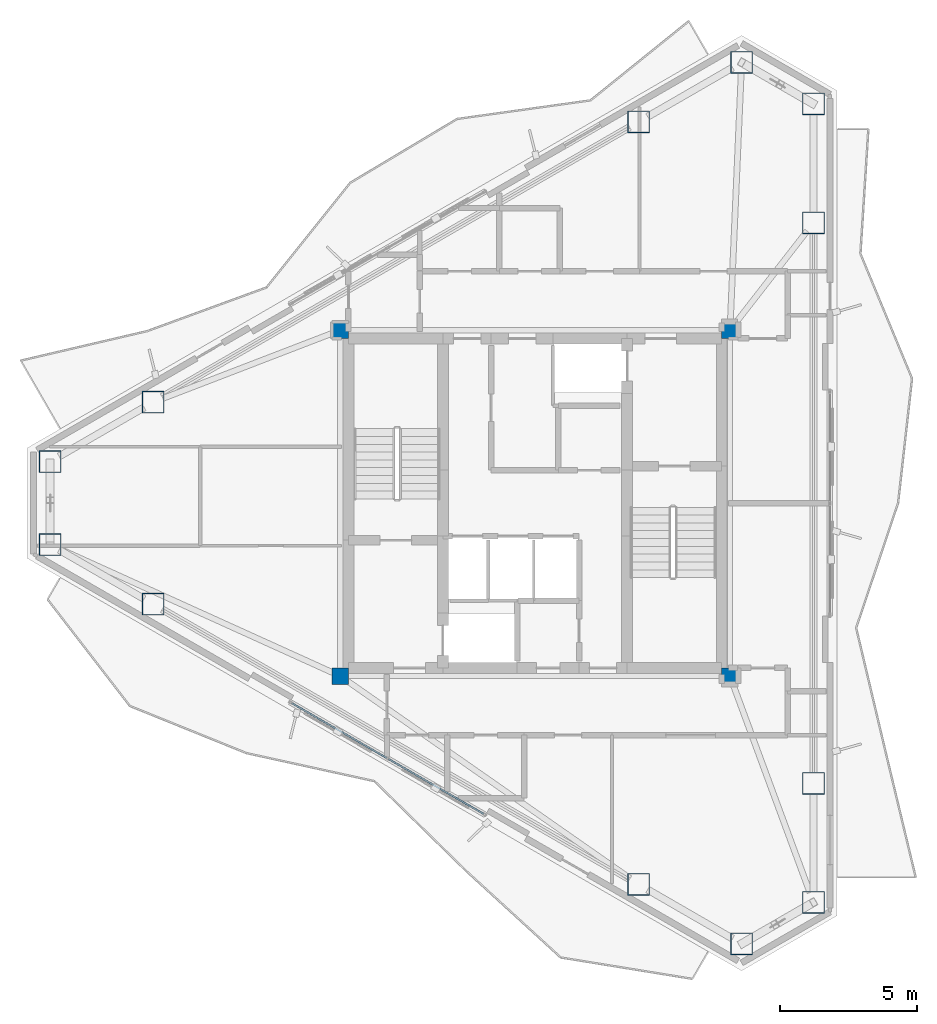
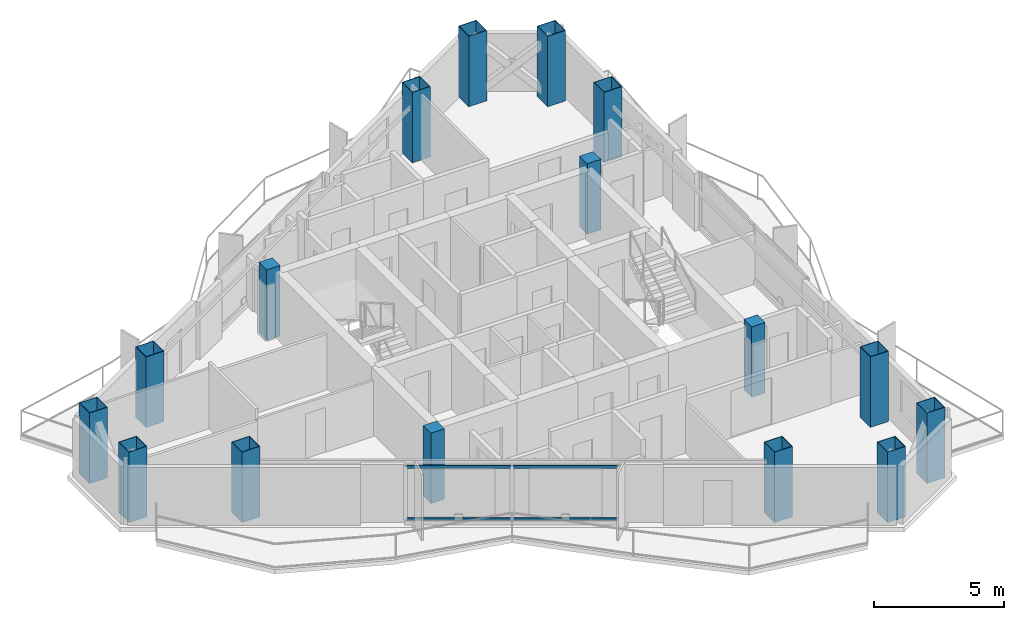
# One storey, part 1 of 18: 16 columns, 4 members, 1 element without a shape of its own.
"""IFC4 building model written with IfcOpenShell, lengths in metres."""

import ifcopenshell
import ifcopenshell.guid

model = None  # the IFC model being written
_history = None  # IfcOwnerHistory: only IFC2X3 demands one
_inside = {}  # id of a spatial element -> (the spatial element, [elements in it])
_under = {}  # id of a project, library or spatial element -> (it, [spatial elements below it])
_declared = {}  # id of a project -> (the project, [libraries it declares])
_typed = {}  # id of a type object -> (the type object, [elements of that type])
_made_of = {}  # id of a material, layer set ... -> (it, [elements and type objects made of it])


def new_model(schema):
    """Start an empty IFC model of exactly this schema.

    Asked for "IFC4X3", IfcOpenShell would pick the latest addendum, in which some entities
    have other attributes; the version numbers below select the first issue.
    IFC2X3 requires an IfcOwnerHistory on every rooted entity: one is made here for all.
    """
    global model, _history
    if schema == "IFC4X3":
        model = ifcopenshell.file(schema_version=(4, 3, 0, 0))
    else:
        model = ifcopenshell.file(schema=schema)
    _inside.clear()
    _under.clear()
    _declared.clear()
    _typed.clear()
    _made_of.clear()
    _history = None
    if model.schema == "IFC2X3":
        org = make("IfcOrganization", Name="unknown")
        user = make(
            "IfcPersonAndOrganization",
            ThePerson=make("IfcPerson", FamilyName="unknown"),
            TheOrganization=org,
        )
        app = make(
            "IfcApplication",
            ApplicationDeveloper=org,
            Version="unknown",
            ApplicationFullName="unknown",
            ApplicationIdentifier="unknown",
        )
        _history = make(
            "IfcOwnerHistory",
            OwningUser=user,
            OwningApplication=app,
            ChangeAction="ADDED",
            CreationDate=0,
        )
    return model


def make(cls, **values):
    """One entity of the class cls with the attributes given. An attribute that is None is left unset."""
    return model.create_entity(
        cls, **{name: value for name, value in values.items() if value is not None}
    )


def rooted(cls, **values):
    """An entity with a GlobalId (a new one), such as an element, a storey or a relation."""
    return make(cls, GlobalId=ifcopenshell.guid.new(), OwnerHistory=_history, **values)


def si_unit(unit_type, name, prefix=None):
    """IfcSIUnit, for example si_unit("LENGTHUNIT", "METRE", prefix="MILLI")."""
    return make("IfcSIUnit", UnitType=unit_type, Prefix=prefix, Name=name)


def assignment(units):
    """IfcUnitAssignment: the units of a project."""
    return None if units is None else make("IfcUnitAssignment", Units=units)


def point(xyz):
    """IfcCartesianPoint."""
    return None if xyz is None else make("IfcCartesianPoint", Coordinates=xyz)


def direction(xyz):
    """IfcDirection."""
    return None if xyz is None else make("IfcDirection", DirectionRatios=xyz)


def frame(location, z_axis=None, x_axis=None):
    """IfcAxis2Placement3D, a coordinate frame: its origin and axes. An axis left out is left unset."""
    return make(
        "IfcAxis2Placement3D",
        Location=point(location),
        Axis=direction(z_axis),
        RefDirection=direction(x_axis),
    )


def frame_2d(location, x_axis=None):
    """IfcAxis2Placement2D, a coordinate frame in the plane: its origin and x axis."""
    return make(
        "IfcAxis2Placement2D", Location=point(location), RefDirection=direction(x_axis)
    )


def origin():
    """The frame at (0, 0, 0) with its axes left unset."""
    return frame((0.0, 0.0, 0.0))


def origin_2d():
    """The frame at (0, 0) in the plane with its x axis left unset."""
    return frame_2d((0.0, 0.0))


def place(relative_to, where):
    """IfcLocalPlacement: puts the frame where relative to a parent placement (None: the world)."""
    return make(
        "IfcLocalPlacement", PlacementRelTo=relative_to, RelativePlacement=where
    )


def context(
    kind, dimensions, precision=None, world=None, true_north=None, identifier=None
):
    """IfcGeometricRepresentationContext, for example the 3D "Model" context."""
    return make(
        "IfcGeometricRepresentationContext",
        ContextIdentifier=identifier,
        ContextType=kind,
        CoordinateSpaceDimension=dimensions,
        Precision=precision,
        WorldCoordinateSystem=world,
        TrueNorth=true_north,
    )


def subcontext(parent, identifier, kind, view, scale=None):
    """IfcGeometricRepresentationSubContext, for example "Body" below "Model"."""
    return make(
        "IfcGeometricRepresentationSubContext",
        ContextIdentifier=identifier,
        ContextType=kind,
        ParentContext=parent,
        TargetScale=scale,
        TargetView=view,
    )


def project(units=None, contexts=None):
    """IfcProject with its units and contexts."""
    return rooted(
        "IfcProject",
        Name="project",
        RepresentationContexts=contexts,
        UnitsInContext=assignment(units),
    )


def spatial(cls, under=None, at=None, **own):
    """A site, building, storey or space (cls), placed at a placement, below another one or the project."""
    s = rooted(cls, ObjectPlacement=at, **own)
    if under is not None:
        _under.setdefault(under.id(), (under, []))[1].append(s)
    return s


def profile(cls, at=None, kind="AREA", **sizes):
    """A parametric profile (cls). Its sizes go by their IFC names, for example OverallWidth=200.0."""
    return make(cls, ProfileType=kind, Position=at, **sizes)


def rectangle(**sizes):
    """IfcRectangleProfileDef."""
    return profile("IfcRectangleProfileDef", **sizes)


def hollow_rectangle(**sizes):
    """IfcRectangleHollowProfileDef."""
    return profile("IfcRectangleHollowProfileDef", **sizes)


def extrude(swept, where, along, depth):
    """IfcExtrudedAreaSolid: the profile swept, set in the frame where, extruded along a direction by depth."""
    return make(
        "IfcExtrudedAreaSolid",
        SweptArea=swept,
        Position=where,
        ExtrudedDirection=direction(along),
        Depth=depth,
    )


def shape(context_of_items, identifier, shape_type, items):
    """IfcShapeRepresentation: the items that make up one representation, for example the "Body"."""
    return make(
        "IfcShapeRepresentation",
        ContextOfItems=context_of_items,
        RepresentationIdentifier=identifier,
        RepresentationType=shape_type,
        Items=items,
    )


def material(Name=None, Category=None):
    """IfcMaterial."""
    return make("IfcMaterial", Name=Name, Category=Category)


def layer(
    of_material, thickness, ventilated=None, Name=None, Category=None, Priority=None
):
    """IfcMaterialLayer: one layer of a wall or slab, of a material (None: an air gap)."""
    return make(
        "IfcMaterialLayer",
        Material=of_material,
        LayerThickness=thickness,
        IsVentilated=ventilated,
        Name=Name,
        Category=Category,
        Priority=Priority,
    )


def layer_set(layers, Name=None):
    """IfcMaterialLayerSet."""
    return make("IfcMaterialLayerSet", MaterialLayers=layers, LayerSetName=Name)


def material_profile(
    of_material, cross_section, Name=None, Category=None, Priority=None
):
    """IfcMaterialProfile: a cross section and its material."""
    return make(
        "IfcMaterialProfile",
        Name=Name,
        Material=of_material,
        Profile=cross_section,
        Priority=Priority,
        Category=Category,
    )


def profile_set(profiles, Name=None, composite=None):
    """IfcMaterialProfileSet."""
    return make(
        "IfcMaterialProfileSet",
        Name=Name,
        MaterialProfiles=profiles,
        CompositeProfile=composite,
    )


def made_of(thing, what):
    """Note that an element or type object is made of a material, layer set ...; save() writes the relation."""
    if what is not None:
        _made_of.setdefault(what.id(), (what, []))[1].append(thing)
    return thing


def type_object(cls, material=None, **own):
    """A type object (cls), such as IfcWallType, which elements share."""
    return made_of(rooted(cls, **own), material)


def element(
    cls,
    number,
    at=None,
    inside=None,
    cuts=None,
    type_object=None,
    material=None,
    context=None,
    identifier="Body",
    shape_type=None,
    held_by="IfcProductDefinitionShape",
    body=None,
    shapes=None,
    **own,
):
    """One element of the class cls, such as IfcWall. Its Tag is "e" and its number.

    at: its placement. inside: the storey or other place that contains it. cuts: it is an
    opening in that element (IfcRelVoidsElement). A single representation is given by context,
    identifier, shape_type and body (its items); several are given by shapes. held_by: the class
    of the entity that holds the representations. save() writes the other relations.
    """
    e = rooted(cls, Tag="e%d" % number, ObjectPlacement=at, **own)
    if body is not None:
        shapes = [shape(context, identifier, shape_type, body)]
    if shapes is not None:
        e.Representation = make(held_by, Representations=shapes)
    if inside is not None:
        _inside.setdefault(inside.id(), (inside, []))[1].append(e)
    if cuts is not None:
        rooted(
            "IfcRelVoidsElement", RelatingBuildingElement=cuts, RelatedOpeningElement=e
        )
    if type_object is not None:
        _typed.setdefault(type_object.id(), (type_object, []))[1].append(e)
    return made_of(e, material)


def aggregate(whole, parts):
    """IfcRelAggregates: a whole, such as a stair, and the parts it consists of."""
    return rooted("IfcRelAggregates", RelatingObject=whole, RelatedObjects=parts)


def save(model, path):
    """Write the relations noted so far, then the file.

    IfcRelAggregates (storeys below a building ...), IfcRelContainedInSpatialStructure (elements
    in a storey), IfcRelDefinesByType, IfcRelAssociatesMaterial and IfcRelDeclares: one each for
    every whole, place, type object, material and project.
    """
    for whole, parts in _under.values():
        aggregate(whole, parts)
    for where, things in _inside.values():
        rooted(
            "IfcRelContainedInSpatialStructure",
            RelatedElements=things,
            RelatingStructure=where,
        )
    for kind, things in _typed.values():
        rooted("IfcRelDefinesByType", RelatedObjects=things, RelatingType=kind)
    for what, things in _made_of.values():
        rooted("IfcRelAssociatesMaterial", RelatedObjects=things, RelatingMaterial=what)
    for by, libraries in _declared.values():
        rooted("IfcRelDeclares", RelatingContext=by, RelatedDefinitions=libraries)
    model.write(path)


model = new_model("IFC4")

# Units and contexts
model_context = context("Model", 3, precision=1e-05, world=origin(), true_north=direction((0.0, 1.0)))
body_context = subcontext(model_context, "Body", "Model", "MODEL_VIEW")
ifc_project = project(units=[si_unit("LENGTHUNIT", "METRE"), si_unit("AREAUNIT", "SQUARE_METRE"), si_unit("VOLUMEUNIT", "CUBIC_METRE"), si_unit("PLANEANGLEUNIT", "RADIAN"), si_unit("MASSUNIT", "GRAM", prefix="KILO")], contexts=[model_context])

# Site, building, storey
site_placement = place(None, origin())
site = spatial("IfcSite", under=ifc_project, at=site_placement, CompositionType="ELEMENT")
building_placement = place(site_placement, origin())
building = spatial("IfcBuilding", under=site, at=building_placement, Name="Mersakhor Tower and Convention Hall", CompositionType="ELEMENT")
storey_placement = place(building_placement, frame((0.0, 0.0, 236.39990234375)))
storey = spatial("IfcBuildingStorey", under=building, at=storey_placement, Name="L66", CompositionType="ELEMENT", Elevation=236.39990234375)

# Columns
ifc_material_1 = material(Name="Concrete C50/60 in S460M steel box", Category="concrete")
ifc_material_profile_1 = material_profile(ifc_material_1, hollow_rectangle(XDim=0.800048828125, YDim=0.800048828125, WallThickness=0.02490234375, at=origin_2d()), Name="SHS 800x800x25")
ifc_profile_set_1 = profile_set([ifc_material_profile_1], Name="Concrete C50/60 in S460M steel box")
column_type_1 = type_object("IfcColumnType", Name="COL-CFT-800", PredefinedType="COLUMN", material=ifc_profile_set_1)
for number, where, z_axis, x_axis, name in (
    (1, (11.33203125, 28.26123046875, 0.0), (0.0, 0.0, 1.0), (1.0, 0.0, 0.0), "L66 Perimeter Mega-Column MC-01"),
    (2, (15.085693359375, 30.428466796875, 0.0), (0.0, 0.0, 1.0), (1.0, 0.0, 0.0), "L66 Perimeter Mega-Column MC-02"),
    (3, (32.771484375, 40.639404296875, 0.0), (0.0, 0.0, 1.0), (1.0, 0.0, 0.0), "L66 Perimeter Mega-Column MC-03"),
    (4, (36.525146484375, 42.806640625, 0.0), (0.0, 0.0, 1.0), (1.0, 0.0, 0.0), "L66 Perimeter Mega-Column MC-04"),
    (5, (39.142822265625, 41.29541015625, 0.0), (0.0, 0.0, 1.0), (1.0, 0.0, 0.0), "L66 Perimeter Mega-Column MC-05"),
    (6, (39.142822265625, 36.960693359375, 0.0), (0.0, 0.0, 1.0), (1.0, 0.0, 0.0), "L66 Perimeter Mega-Column MC-06"),
    (7, (39.142822265625, 16.539306640625, 0.0), (0.0, 0.0, 1.0), (1.0, 0.0, 0.0), "L66 Perimeter Mega-Column MC-07"),
    (8, (39.142822265625, 12.20458984375, 0.0), (0.0, 0.0, 1.0), (1.0, 0.0, 0.0), "L66 Perimeter Mega-Column MC-08"),
    (9, (36.525146484375, 10.693359375, 0.0), (0.0, 0.0, 1.0), (1.0, 0.0, 0.0), "L66 Perimeter Mega-Column MC-09"),
    (10, (32.771484375, 12.860595703125, 0.0), (0.0, 0.0, 1.0), (1.0, 0.0, 0.0), "L66 Perimeter Mega-Column MC-10"),
    (11, (15.085693359375, 23.071533203125, 0.0), (0.0, 0.0, 1.0), (1.0, 0.0, 0.0), "L66 Perimeter Mega-Column MC-11"),
    (12, (11.33203125, 25.23876953125, 0.0), (0.0, 0.0, 1.0), (1.0, 0.0, 0.0), "L66 Perimeter Mega-Column MC-12"),
):
    element("IfcColumn", number, at=place(storey_placement, frame(where, z_axis=z_axis, x_axis=x_axis)), inside=storey, type_object=column_type_1, Name=name, PredefinedType="COLUMN", context=body_context, shape_type="SweptSolid", body=[
        extrude(hollow_rectangle(XDim=0.800048828125, YDim=0.800048828125, WallThickness=0.02490234375, at=origin_2d()), origin(), (0.0, 0.0, 1.0), 3.300048828125),
    ])
ifc_material_2 = material(Name="Concrete C50/60", Category="concrete")
ifc_material_profile_2 = material_profile(ifc_material_2, rectangle(XDim=0.60009765625, YDim=0.60009765625, at=origin_2d()), Name="RC 600x600")
ifc_profile_set_2 = profile_set([ifc_material_profile_2], Name="Concrete C50/60")
column_type_2 = type_object("IfcColumnType", Name="COL-RC-600", PredefinedType="COLUMN", material=ifc_profile_set_2)
for number, where, z_axis, x_axis, name in (
    (13, (21.89990234375, 20.449951171875, 0.0), (0.0, 0.0, 1.0), (1.0, 0.0, 0.0), "L66 Core Corner Column CC-1"),
    (14, (21.89990234375, 33.050048828125, 0.0), (0.0, 0.0, 1.0), (1.0, 0.0, 0.0), "L66 Core Corner Column CC-2"),
    (15, (36.10009765625, 33.050048828125, 0.0), (0.0, 0.0, 1.0), (1.0, 0.0, 0.0), "L66 Core Corner Column CC-3"),
    (16, (36.10009765625, 20.449951171875, 0.0), (0.0, 0.0, 1.0), (1.0, 0.0, 0.0), "L66 Core Corner Column CC-4"),
):
    element("IfcColumn", number, at=place(storey_placement, frame(where, z_axis=z_axis, x_axis=x_axis)), inside=storey, type_object=column_type_2, Name=name, PredefinedType="COLUMN", context=body_context, shape_type="SweptSolid", body=[
        extrude(rectangle(XDim=0.60009765625, YDim=0.60009765625, at=origin_2d()), origin(), (0.0, 0.0, 1.0), 3.300048828125),
    ])

# Curtain wall, members
ifc_material_3 = material(Name="Dark solar low-E aluminium curtain wall", Category="aluminium")
ifc_layer = layer(ifc_material_3, 0.179931640625)
ifc_layer_set = layer_set([ifc_layer], Name="Dark solar low-E aluminium curtain wall")
curtain_wall_type = type_object("IfcCurtainWallType", Name="CW-SYS-03", PredefinedType="USERDEFINED", material=ifc_layer_set)
curtain_wall_placement = place(storey_placement, origin())
curtain_wall = element("IfcCurtainWall", 17, at=curtain_wall_placement, inside=storey, type_object=curtain_wall_type, Name="L66 Dark-Glass Curtain Wall F3-B2", ObjectType="CURTAIN WALL", PredefinedType="USERDEFINED")
ifc_material_4 = material(Name="Anodised aluminium EN AW-6063 T6", Category="aluminium")
ifc_material_profile_3 = material_profile(ifc_material_4, hollow_rectangle(XDim=0.06005859375, YDim=0.1201171875, WallThickness=0.0048828125, at=origin_2d()), Name="RHS 120x60x5")
ifc_profile_set_3 = profile_set([ifc_material_profile_3], Name="Anodised aluminium EN AW-6063 T6")
member_type = type_object("IfcMemberType", Name="CWT-120x60", PredefinedType="USERDEFINED", material=ifc_profile_set_3)
member_1_placement = place(storey_placement, frame((27.12646484375, 15.427001953125, 0.22998046875), z_axis=(-0.866023018642, 0.500004131166, 0.0), x_axis=(-0.500004131166, -0.866023018642, 0.0)))
member_1 = element("IfcMember", 18, at=member_1_placement, type_object=member_type, Name="CW-03 transom 1.1", ObjectType="TRANSOM", PredefinedType="USERDEFINED", context=body_context, shape_type="SweptSolid", body=[
    extrude(hollow_rectangle(XDim=0.06005859375, YDim=0.1201171875, WallThickness=0.0048828125, at=origin_2d()), origin(), (0.0, 0.0, 1.0), 4.00146484375),
])
member_2_placement = place(storey_placement, frame((27.12646484375, 15.427001953125, 2.670166015625), z_axis=(-0.866023018642, 0.500004131166, 0.0), x_axis=(-0.500004131166, -0.866023018642, 0.0)))
member_2 = element("IfcMember", 19, at=member_2_placement, type_object=member_type, Name="CW-03 transom 1.2", ObjectType="TRANSOM", PredefinedType="USERDEFINED", context=body_context, shape_type="SweptSolid", body=[
    extrude(hollow_rectangle(XDim=0.06005859375, YDim=0.1201171875, WallThickness=0.0048828125, at=origin_2d()), origin(), (0.0, 0.0, 1.0), 4.00146484375),
])
member_3_placement = place(storey_placement, frame((23.59619140625, 17.465087890625, 0.22998046875), z_axis=(-0.866023018642, 0.500004131166, 0.0), x_axis=(-0.500004131166, -0.866023018642, 0.0)))
member_3 = element("IfcMember", 20, at=member_3_placement, type_object=member_type, Name="CW-03 transom 2.1", ObjectType="TRANSOM", PredefinedType="USERDEFINED", context=body_context, shape_type="SweptSolid", body=[
    extrude(hollow_rectangle(XDim=0.06005859375, YDim=0.1201171875, WallThickness=0.0048828125, at=origin_2d()), origin(), (0.0, 0.0, 1.0), 4.00146484375),
])
member_4_placement = place(storey_placement, frame((23.59619140625, 17.465087890625, 2.670166015625), z_axis=(-0.866023018642, 0.500004131166, 0.0), x_axis=(-0.500004131166, -0.866023018642, 0.0)))
member_4 = element("IfcMember", 21, at=member_4_placement, type_object=member_type, Name="CW-03 transom 2.2", ObjectType="TRANSOM", PredefinedType="USERDEFINED", context=body_context, shape_type="SweptSolid", body=[
    extrude(hollow_rectangle(XDim=0.06005859375, YDim=0.1201171875, WallThickness=0.0048828125, at=origin_2d()), origin(), (0.0, 0.0, 1.0), 4.00146484375),
])
aggregate(curtain_wall, [member_1, member_2, member_3, member_4])

save(model, "model.ifc")
